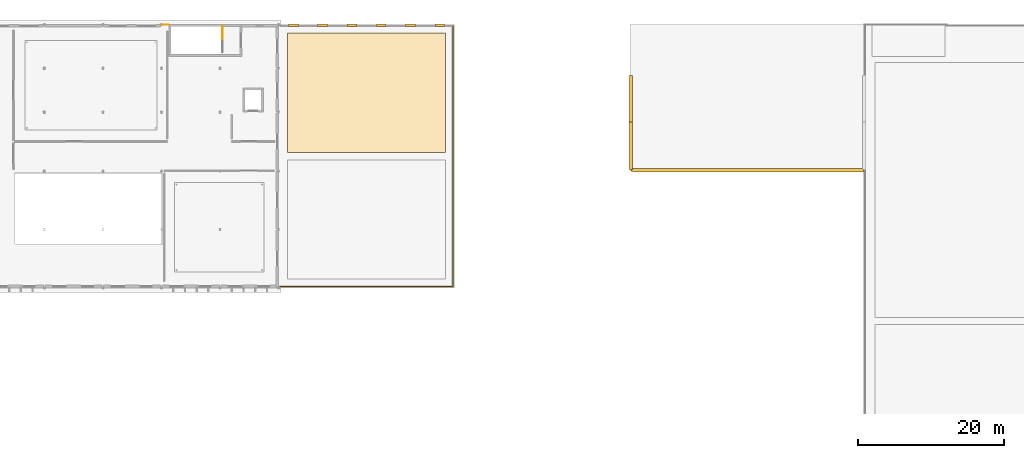
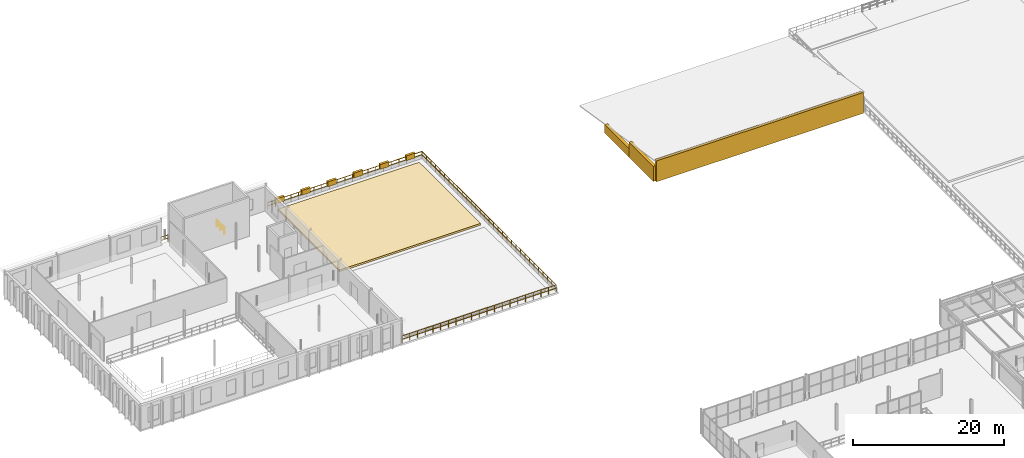
# One storey, part 64 of 67: 10 coverings, 3 railings.
"""IFC4 building model written with IfcOpenShell, lengths in metres."""

from ifc_helpers import new_model, si_unit, direction, frame, origin, origin_2d, place, context, subcontext, project, spatial, polyline, rectangle, circle, outline, extrude, material, layer, layer_set, type_object, element, save


model = new_model("IFC4")

# Units and contexts
model_context = context("Model", 3, precision=1e-05, world=origin(), true_north=direction((0.0, 1.0)))
body_context = subcontext(model_context, "Body", "Model", "MODEL_VIEW")
ifc_project = project(units=[si_unit("LENGTHUNIT", "METRE"), si_unit("AREAUNIT", "SQUARE_METRE"), si_unit("VOLUMEUNIT", "CUBIC_METRE"), si_unit("PLANEANGLEUNIT", "RADIAN"), si_unit("MASSUNIT", "GRAM", prefix="KILO")], contexts=[model_context])

# Site, building, storey
site_placement = place(None, origin())
site = spatial("IfcSite", under=ifc_project, at=site_placement, CompositionType="ELEMENT")
building_placement = place(site_placement, origin())
building = spatial("IfcBuilding", under=site, at=building_placement, Name="Sundkrona Museum", CompositionType="ELEMENT")
storey_placement = place(building_placement, frame((0.0, 0.0, 21.800048828125)))
storey = spatial("IfcBuildingStorey", under=building, at=storey_placement, Name="L04", CompositionType="ELEMENT", Elevation=21.800048828125)

# Coverings
ifc_material_1 = material(Name="Frost-Resistant Vitrified Stoneware Mosaic Cladding", Category="masonry")
ifc_layer_1 = layer(ifc_material_1, 0.044921875)
ifc_layer_set_1 = layer_set([ifc_layer_1], Name="Frost-Resistant Vitrified Stoneware Mosaic Cladding")
covering_type_1 = type_object("IfcCoveringType", Name="COV-CLD-MOS", PredefinedType="CLADDING", material=ifc_layer_set_1)
for number, where, z_axis, x_axis, name in (
    (1, (58.0, 113.85009765625, 0.52978515625), (0.0, 0.0, 1.0), (1.0, 0.0, 0.0), "Catalan Modernisme Stepped Ceramic Merlon 01"),
    (2, (62.0, 113.85009765625, 0.52978515625), (0.0, 0.0, 1.0), (1.0, 0.0, 0.0), "Catalan Modernisme Stepped Ceramic Merlon 02"),
    (3, (66.0, 113.85009765625, 0.52978515625), (0.0, 0.0, 1.0), (1.0, 0.0, 0.0), "Catalan Modernisme Stepped Ceramic Merlon 03"),
    (4, (70.0, 113.85009765625, 0.52978515625), (0.0, 0.0, 1.0), (1.0, 0.0, 0.0), "Catalan Modernisme Stepped Ceramic Merlon 04"),
    (5, (74.0, 113.85009765625, 0.52978515625), (0.0, 0.0, 1.0), (1.0, 0.0, 0.0), "Catalan Modernisme Stepped Ceramic Merlon 05"),
    (6, (78.0, 113.85009765625, 0.52978515625), (0.0, 0.0, 1.0), (1.0, 0.0, 0.0), "Catalan Modernisme Stepped Ceramic Merlon 06"),
):
    element("IfcCovering", number, at=place(storey_placement, frame(where, z_axis=z_axis, x_axis=x_axis)), inside=storey, type_object=covering_type_1, Name=name, PredefinedType="CLADDING", context=body_context, shape_type="SweptSolid", body=[
        extrude(rectangle(XDim=1.35009765625, YDim=0.360107421875, at=origin_2d()), origin(), (0.0, 0.0, 1.0), 0.780029296875),
    ])
ifc_material_2 = material(Name="Standing-Seam Patinated Copper Roofing", Category="other")
ifc_layer_2 = layer(ifc_material_2, 0.044921875)
ifc_layer_set_2 = layer_set([ifc_layer_2], Name="Standing-Seam Patinated Copper Roofing")
covering_type_2 = type_object("IfcCoveringType", Name="COV-RF-COP", PredefinedType="ROOFING", material=ifc_layer_set_2)
covering_1_placement = place(storey_placement, frame((104.080078125, 97.39990234375, -0.27001953125), z_axis=(0.0, 0.0, 1.0), x_axis=(0.0, 1.0, 0.0)))
element("IfcCovering", 7, at=covering_1_placement, inside=storey, type_object=covering_type_2, Name="Conservation Wing W Gable Tympanum 1", PredefinedType="ROOFING", context=body_context, shape_type="SweptSolid", body=[
    extrude(rectangle(XDim=6.47998046875, YDim=0.43994140625, at=origin_2d()), origin(), (0.0, 0.0, 1.0), 2.424072265625),
])
covering_2_placement = place(storey_placement, frame((104.080078125, 103.800048828125, -0.27001953125), z_axis=(0.0, 0.0, 1.0), x_axis=(0.0, 1.0, 0.0)))
element("IfcCovering", 8, at=covering_2_placement, inside=storey, type_object=covering_type_2, Name="Conservation Wing W Gable Tympanum 2", PredefinedType="ROOFING", context=body_context, shape_type="SweptSolid", body=[
    extrude(rectangle(XDim=6.47998046875, YDim=0.43994140625, at=origin_2d()), origin(), (0.0, 0.0, 1.0), 1.39990234375),
])
covering_3_placement = place(storey_placement, frame((120.0, 94.080078125, -0.27001953125), z_axis=(0.0, 0.0, 1.0), x_axis=(1.0, 0.0, 0.0)))
element("IfcCovering", 9, at=covering_3_placement, inside=storey, type_object=covering_type_2, Name="Conservation Wing South Clerestory Gable Cladding", PredefinedType="ROOFING", context=body_context, shape_type="SweptSolid", body=[
    extrude(rectangle(XDim=31.679931640625, YDim=0.43994140625, at=origin_2d()), origin(), (0.0, 0.0, 1.0), 3.3798828125),
])
ifc_material_3 = material(Name="Extensive Sedum Planting Substrate and Root-Barrier Membrane", Category="other")
ifc_layer_3 = layer(ifc_material_3, 0.300048828125)
ifc_layer_set_3 = layer_set([ifc_layer_3], Name="Extensive Sedum Planting Substrate and Root-Barrier Membrane")
covering_type_3 = type_object("IfcCoveringType", Name="COV-RF-GRN", PredefinedType="ROOFING", material=ifc_layer_set_3)
covering_4_placement = place(storey_placement, origin())
element("IfcCovering", 10, at=covering_4_placement, inside=storey, type_object=covering_type_3, Name="L04 Sedum Stormwater Roof Garden Build-Up (COV-GRN-L04-TR3B)", PredefinedType="ROOFING", context=body_context, shape_type="SweptSolid", body=[
    extrude(outline(polyline([(57.199951171875, 96.5), (78.800048828125, 96.5), (78.800048828125, 112.800048828125), (57.199951171875, 112.800048828125), (57.199951171875, 96.5)])), origin(), (0.0, 0.0, 1.0), 0.300048828125),
])

# Railings
ifc_material_4 = material(Name="Painted Steel S355J2 and Laminated Glass Balustrade", Category="steel")
railing_type = type_object("IfcRailingType", Name="RL-GUARD-1100", PredefinedType="BALUSTRADE", material=ifc_material_4)
railing_1_placement = place(storey_placement, frame((56.199951171875, 113.800048828125, 0.0)))
element("IfcRailing", 11, at=railing_1_placement, inside=storey, type_object=railing_type, Name="L04 North-West Roof Garden Terrace Perimeter Guard", PredefinedType="BALUSTRADE", context=body_context, shape_type="SweptSolid", body=[
    extrude(circle(Radius=0.02392578125, at=origin_2d()), frame((0.0, 0.0, 1.09619140625), z_axis=(1.0, 0.0, 0.0), x_axis=(0.0, 1.0, 0.0)), (0.0, 0.0, 1.0), 23.60009765625),
    extrude(circle(Radius=0.02392578125, at=origin_2d()), frame((0.0, 0.0, 0.56005859375), z_axis=(1.0, 0.0, 0.0), x_axis=(0.0, 1.0, 0.0)), (0.0, 0.0, 1.0), 23.60009765625),
    extrude(circle(Radius=0.02392578125, at=origin_2d()), frame((23.60009765625, 0.0, 1.09619140625), z_axis=(0.0, -1.0, 0.0), x_axis=(1.0, 0.0, 0.0)), (0.0, 0.0, 1.0), 35.60009765625),
    extrude(circle(Radius=0.02392578125, at=origin_2d()), frame((23.60009765625, 0.0, 0.56005859375), z_axis=(0.0, -1.0, 0.0), x_axis=(1.0, 0.0, 0.0)), (0.0, 0.0, 1.0), 35.60009765625),
    extrude(circle(Radius=0.02392578125, at=origin_2d()), frame((23.60009765625, -35.60009765625, 1.09619140625), z_axis=(-1.0, 0.0, 0.0), x_axis=(0.0, -1.0, 0.0)), (0.0, 0.0, 1.0), 23.60009765625),
    extrude(circle(Radius=0.02392578125, at=origin_2d()), frame((23.60009765625, -35.60009765625, 0.56005859375), z_axis=(-1.0, 0.0, 0.0), x_axis=(0.0, -1.0, 0.0)), (0.0, 0.0, 1.0), 23.60009765625),
    extrude(circle(Radius=0.02099609375, at=origin_2d()), origin(), (0.0, 0.0, 1.0), 1.072021484375),
    extrude(circle(Radius=0.02099609375, at=origin_2d()), frame((1.179931640625, 0.0, 0.0)), (0.0, 0.0, 1.0), 1.072021484375),
    extrude(circle(Radius=0.02099609375, at=origin_2d()), frame((2.360107421875, 0.0, 0.0)), (0.0, 0.0, 1.0), 1.072021484375),
    extrude(circle(Radius=0.02099609375, at=origin_2d()), frame((3.5400390625, 0.0, 0.0)), (0.0, 0.0, 1.0), 1.072021484375),
    extrude(circle(Radius=0.02099609375, at=origin_2d()), frame((4.719970703125, 0.0, 0.0)), (0.0, 0.0, 1.0), 1.072021484375),
    extrude(circle(Radius=0.02099609375, at=origin_2d()), frame((5.89990234375, 0.0, 0.0)), (0.0, 0.0, 1.0), 1.072021484375),
    extrude(circle(Radius=0.02099609375, at=origin_2d()), frame((7.080078125, 0.0, 0.0)), (0.0, 0.0, 1.0), 1.072021484375),
    extrude(circle(Radius=0.02099609375, at=origin_2d()), frame((8.260009765625, 0.0, 0.0)), (0.0, 0.0, 1.0), 1.072021484375),
    extrude(circle(Radius=0.02099609375, at=origin_2d()), frame((9.43994140625, 0.0, 0.0)), (0.0, 0.0, 1.0), 1.072021484375),
    extrude(circle(Radius=0.02099609375, at=origin_2d()), frame((10.6201171875, 0.0, 0.0)), (0.0, 0.0, 1.0), 1.072021484375),
    extrude(circle(Radius=0.02099609375, at=origin_2d()), frame((11.800048828125, 0.0, 0.0)), (0.0, 0.0, 1.0), 1.072021484375),
    extrude(circle(Radius=0.02099609375, at=origin_2d()), frame((12.97998046875, 0.0, 0.0)), (0.0, 0.0, 1.0), 1.072021484375),
    extrude(circle(Radius=0.02099609375, at=origin_2d()), frame((14.16015625, 0.0, 0.0)), (0.0, 0.0, 1.0), 1.072021484375),
    extrude(circle(Radius=0.02099609375, at=origin_2d()), frame((15.340087890625, 0.0, 0.0)), (0.0, 0.0, 1.0), 1.072021484375),
    extrude(circle(Radius=0.02099609375, at=origin_2d()), frame((16.52001953125, 0.0, 0.0)), (0.0, 0.0, 1.0), 1.072021484375),
    extrude(circle(Radius=0.02099609375, at=origin_2d()), frame((17.7001953125, 0.0, 0.0)), (0.0, 0.0, 1.0), 1.072021484375),
    extrude(circle(Radius=0.02099609375, at=origin_2d()), frame((18.880126953125, 0.0, 0.0)), (0.0, 0.0, 1.0), 1.072021484375),
    extrude(circle(Radius=0.02099609375, at=origin_2d()), frame((20.06005859375, 0.0, 0.0)), (0.0, 0.0, 1.0), 1.072021484375),
    extrude(circle(Radius=0.02099609375, at=origin_2d()), frame((21.239990234375, 0.0, 0.0)), (0.0, 0.0, 1.0), 1.072021484375),
    extrude(circle(Radius=0.02099609375, at=origin_2d()), frame((22.420166015625, 0.0, 0.0)), (0.0, 0.0, 1.0), 1.072021484375),
    extrude(circle(Radius=0.02099609375, at=origin_2d()), frame((23.60009765625, 0.0, 0.0)), (0.0, 0.0, 1.0), 1.072021484375),
    extrude(circle(Radius=0.02099609375, at=origin_2d()), frame((23.60009765625, -1.186767578125, 0.0)), (0.0, 0.0, 1.0), 1.072021484375),
    extrude(circle(Radius=0.02099609375, at=origin_2d()), frame((23.60009765625, -2.373291015625, 0.0)), (0.0, 0.0, 1.0), 1.072021484375),
    extrude(circle(Radius=0.02099609375, at=origin_2d()), frame((23.60009765625, -3.56005859375, 0.0)), (0.0, 0.0, 1.0), 1.072021484375),
    extrude(circle(Radius=0.02099609375, at=origin_2d()), frame((23.60009765625, -4.74658203125, 0.0)), (0.0, 0.0, 1.0), 1.072021484375),
    extrude(circle(Radius=0.02099609375, at=origin_2d()), frame((23.60009765625, -5.933349609375, 0.0)), (0.0, 0.0, 1.0), 1.072021484375),
    extrude(circle(Radius=0.02099609375, at=origin_2d()), frame((23.60009765625, -7.1201171875, 0.0)), (0.0, 0.0, 1.0), 1.072021484375),
    extrude(circle(Radius=0.02099609375, at=origin_2d()), frame((23.60009765625, -8.306640625, 0.0)), (0.0, 0.0, 1.0), 1.072021484375),
    extrude(circle(Radius=0.02099609375, at=origin_2d()), frame((23.60009765625, -9.493408203125, 0.0)), (0.0, 0.0, 1.0), 1.072021484375),
    extrude(circle(Radius=0.02099609375, at=origin_2d()), frame((23.60009765625, -10.679931640625, 0.0)), (0.0, 0.0, 1.0), 1.072021484375),
    extrude(circle(Radius=0.02099609375, at=origin_2d()), frame((23.60009765625, -11.86669921875, 0.0)), (0.0, 0.0, 1.0), 1.072021484375),
    extrude(circle(Radius=0.02099609375, at=origin_2d()), frame((23.60009765625, -13.053466796875, 0.0)), (0.0, 0.0, 1.0), 1.072021484375),
    extrude(circle(Radius=0.02099609375, at=origin_2d()), frame((23.60009765625, -14.239990234375, 0.0)), (0.0, 0.0, 1.0), 1.072021484375),
    extrude(circle(Radius=0.02099609375, at=origin_2d()), frame((23.60009765625, -15.4267578125, 0.0)), (0.0, 0.0, 1.0), 1.072021484375),
    extrude(circle(Radius=0.02099609375, at=origin_2d()), frame((23.60009765625, -16.61328125, 0.0)), (0.0, 0.0, 1.0), 1.072021484375),
    extrude(circle(Radius=0.02099609375, at=origin_2d()), frame((23.60009765625, -17.800048828125, 0.0)), (0.0, 0.0, 1.0), 1.072021484375),
    extrude(circle(Radius=0.02099609375, at=origin_2d()), frame((23.60009765625, -18.98681640625, 0.0)), (0.0, 0.0, 1.0), 1.072021484375),
    extrude(circle(Radius=0.02099609375, at=origin_2d()), frame((23.60009765625, -20.17333984375, 0.0)), (0.0, 0.0, 1.0), 1.072021484375),
    extrude(circle(Radius=0.02099609375, at=origin_2d()), frame((23.60009765625, -21.360107421875, 0.0)), (0.0, 0.0, 1.0), 1.072021484375),
    extrude(circle(Radius=0.02099609375, at=origin_2d()), frame((23.60009765625, -22.546630859375, 0.0)), (0.0, 0.0, 1.0), 1.072021484375),
    extrude(circle(Radius=0.02099609375, at=origin_2d()), frame((23.60009765625, -23.7333984375, 0.0)), (0.0, 0.0, 1.0), 1.072021484375),
    extrude(circle(Radius=0.02099609375, at=origin_2d()), frame((23.60009765625, -24.920166015625, 0.0)), (0.0, 0.0, 1.0), 1.072021484375),
    extrude(circle(Radius=0.02099609375, at=origin_2d()), frame((23.60009765625, -26.106689453125, 0.0)), (0.0, 0.0, 1.0), 1.072021484375),
    extrude(circle(Radius=0.02099609375, at=origin_2d()), frame((23.60009765625, -27.29345703125, 0.0)), (0.0, 0.0, 1.0), 1.072021484375),
    extrude(circle(Radius=0.02099609375, at=origin_2d()), frame((23.60009765625, -28.47998046875, 0.0)), (0.0, 0.0, 1.0), 1.072021484375),
    extrude(circle(Radius=0.02099609375, at=origin_2d()), frame((23.60009765625, -29.666748046875, 0.0)), (0.0, 0.0, 1.0), 1.072021484375),
    extrude(circle(Radius=0.02099609375, at=origin_2d()), frame((23.60009765625, -30.853515625, 0.0)), (0.0, 0.0, 1.0), 1.072021484375),
    extrude(circle(Radius=0.02099609375, at=origin_2d()), frame((23.60009765625, -32.0400390625, 0.0)), (0.0, 0.0, 1.0), 1.072021484375),
    extrude(circle(Radius=0.02099609375, at=origin_2d()), frame((23.60009765625, -33.226806640625, 0.0)), (0.0, 0.0, 1.0), 1.072021484375),
    extrude(circle(Radius=0.02099609375, at=origin_2d()), frame((23.60009765625, -34.413330078125, 0.0)), (0.0, 0.0, 1.0), 1.072021484375),
    extrude(circle(Radius=0.02099609375, at=origin_2d()), frame((23.60009765625, -35.60009765625, 0.0)), (0.0, 0.0, 1.0), 1.072021484375),
    extrude(circle(Radius=0.02099609375, at=origin_2d()), frame((22.420166015625, -35.60009765625, 0.0)), (0.0, 0.0, 1.0), 1.072021484375),
    extrude(circle(Radius=0.02099609375, at=origin_2d()), frame((21.239990234375, -35.60009765625, 0.0)), (0.0, 0.0, 1.0), 1.072021484375),
    extrude(circle(Radius=0.02099609375, at=origin_2d()), frame((20.06005859375, -35.60009765625, 0.0)), (0.0, 0.0, 1.0), 1.072021484375),
    extrude(circle(Radius=0.02099609375, at=origin_2d()), frame((18.880126953125, -35.60009765625, 0.0)), (0.0, 0.0, 1.0), 1.072021484375),
    extrude(circle(Radius=0.02099609375, at=origin_2d()), frame((17.7001953125, -35.60009765625, 0.0)), (0.0, 0.0, 1.0), 1.072021484375),
    extrude(circle(Radius=0.02099609375, at=origin_2d()), frame((16.52001953125, -35.60009765625, 0.0)), (0.0, 0.0, 1.0), 1.072021484375),
    extrude(circle(Radius=0.02099609375, at=origin_2d()), frame((15.340087890625, -35.60009765625, 0.0)), (0.0, 0.0, 1.0), 1.072021484375),
    extrude(circle(Radius=0.02099609375, at=origin_2d()), frame((14.16015625, -35.60009765625, 0.0)), (0.0, 0.0, 1.0), 1.072021484375),
    extrude(circle(Radius=0.02099609375, at=origin_2d()), frame((12.97998046875, -35.60009765625, 0.0)), (0.0, 0.0, 1.0), 1.072021484375),
    extrude(circle(Radius=0.02099609375, at=origin_2d()), frame((11.800048828125, -35.60009765625, 0.0)), (0.0, 0.0, 1.0), 1.072021484375),
    extrude(circle(Radius=0.02099609375, at=origin_2d()), frame((10.6201171875, -35.60009765625, 0.0)), (0.0, 0.0, 1.0), 1.072021484375),
    extrude(circle(Radius=0.02099609375, at=origin_2d()), frame((9.43994140625, -35.60009765625, 0.0)), (0.0, 0.0, 1.0), 1.072021484375),
    extrude(circle(Radius=0.02099609375, at=origin_2d()), frame((8.260009765625, -35.60009765625, 0.0)), (0.0, 0.0, 1.0), 1.072021484375),
    extrude(circle(Radius=0.02099609375, at=origin_2d()), frame((7.080078125, -35.60009765625, 0.0)), (0.0, 0.0, 1.0), 1.072021484375),
    extrude(circle(Radius=0.02099609375, at=origin_2d()), frame((5.89990234375, -35.60009765625, 0.0)), (0.0, 0.0, 1.0), 1.072021484375),
    extrude(circle(Radius=0.02099609375, at=origin_2d()), frame((4.719970703125, -35.60009765625, 0.0)), (0.0, 0.0, 1.0), 1.072021484375),
    extrude(circle(Radius=0.02099609375, at=origin_2d()), frame((3.5400390625, -35.60009765625, 0.0)), (0.0, 0.0, 1.0), 1.072021484375),
    extrude(circle(Radius=0.02099609375, at=origin_2d()), frame((2.360107421875, -35.60009765625, 0.0)), (0.0, 0.0, 1.0), 1.072021484375),
    extrude(circle(Radius=0.02099609375, at=origin_2d()), frame((1.179931640625, -35.60009765625, 0.0)), (0.0, 0.0, 1.0), 1.072021484375),
    extrude(circle(Radius=0.02099609375, at=origin_2d()), frame((0.0, -35.60009765625, 0.0)), (0.0, 0.0, 1.0), 1.072021484375),
])
railing_2_placement = place(storey_placement, frame((48.35009765625, 113.699951171875, 0.0)))
element("IfcRailing", 12, at=railing_2_placement, inside=storey, type_object=railing_type, Name="L04 ST-3 top well guard 1", PredefinedType="BALUSTRADE", context=body_context, shape_type="SweptSolid", body=[
    extrude(circle(Radius=0.02392578125, at=origin_2d()), frame((0.0, 0.0, 1.076171875), z_axis=(0.0, -1.0, 0.0), x_axis=(1.0, 0.0, 0.0)), (0.0, 0.0, 1.0), 2.0),
    extrude(circle(Radius=0.02392578125, at=origin_2d()), frame((0.0, 0.0, 0.550048828125), z_axis=(0.0, -1.0, 0.0), x_axis=(1.0, 0.0, 0.0)), (0.0, 0.0, 1.0), 2.0),
    extrude(circle(Radius=0.02099609375, at=origin_2d()), origin(), (0.0, 0.0, 1.0), 1.052001953125),
    extrude(circle(Radius=0.02099609375, at=origin_2d()), frame((0.0, -1.0, 0.0)), (0.0, 0.0, 1.0), 1.052001953125),
    extrude(circle(Radius=0.02099609375, at=origin_2d()), frame((0.0, -2.0, 0.0)), (0.0, 0.0, 1.0), 1.052001953125),
])
railing_3_placement = place(storey_placement, frame((39.89794921875, 113.93994140625, 0.0)))
element("IfcRailing", 13, at=railing_3_placement, inside=storey, type_object=railing_type, Name="L04 Edge Protection Balustrade 003", PredefinedType="BALUSTRADE", context=body_context, shape_type="SweptSolid", body=[
    extrude(circle(Radius=0.02392578125, at=origin_2d()), frame((0.0, 0.0, 1.09619140625), z_axis=(1.0, 0.0, 0.0), x_axis=(0.0, 1.0, 0.0)), (0.0, 0.0, 1.0), 1.10205078125),
    extrude(circle(Radius=0.02392578125, at=origin_2d()), frame((0.0, 0.0, 0.56005859375), z_axis=(1.0, 0.0, 0.0), x_axis=(0.0, 1.0, 0.0)), (0.0, 0.0, 1.0), 1.10205078125),
    extrude(circle(Radius=0.02099609375, at=origin_2d()), origin(), (0.0, 0.0, 1.0), 1.072021484375),
    extrude(circle(Radius=0.02099609375, at=origin_2d()), frame((1.10205078125, 0.0, 0.0)), (0.0, 0.0, 1.0), 1.072021484375),
])

save(model, "model.ifc")
